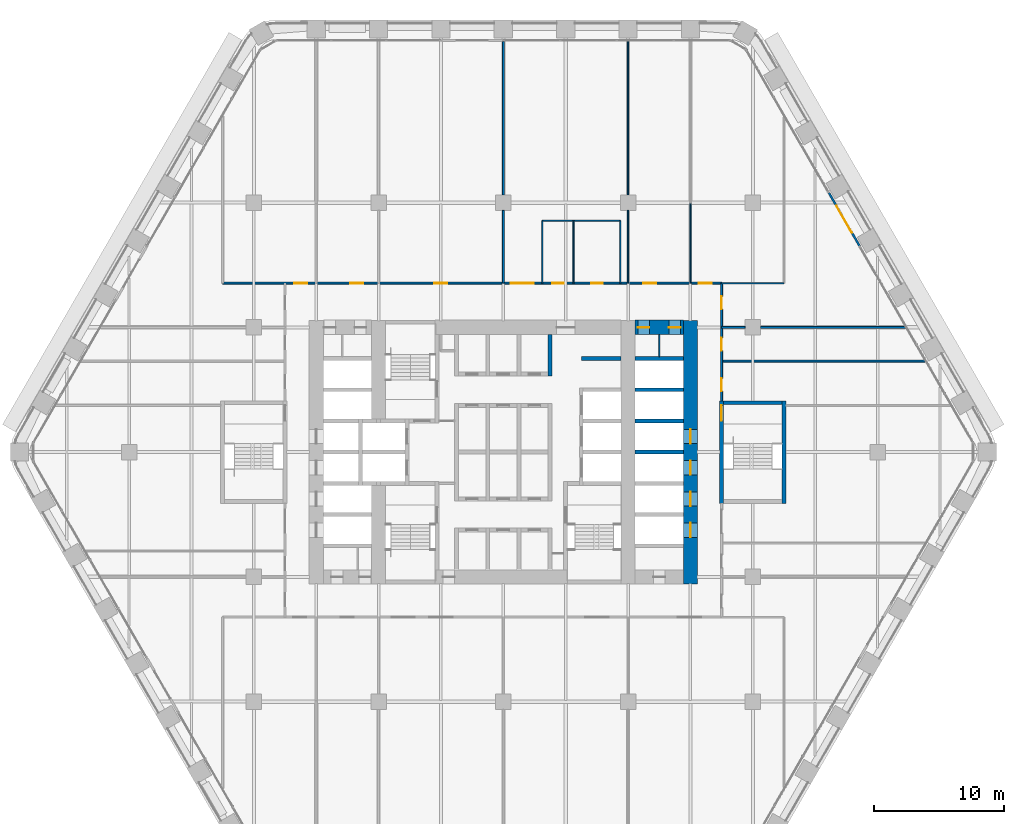
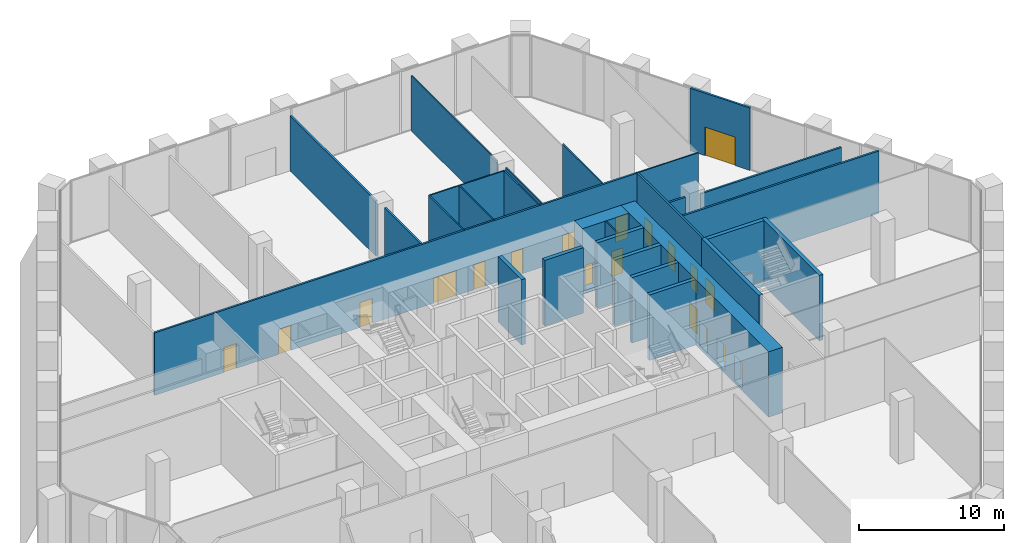
# One storey, part 21 of 27: 28 walls, 19 doors, 19 openings.
"""IFC4 building model written with IfcOpenShell, lengths in metres."""

from ifc_helpers import new_model, si_unit, direction, frame, frame_2d, origin, place, context, subcontext, project, spatial, rectangle, extrude, material, layer, layer_set, type_object, element, fill, save


model = new_model("IFC4")

# Units and contexts
model_context = context("Model", 3, precision=1e-05, world=origin(), true_north=direction((0.0, 1.0)))
body_context = subcontext(model_context, "Body", "Model", "MODEL_VIEW")
ifc_project = project(units=[si_unit("LENGTHUNIT", "METRE"), si_unit("AREAUNIT", "SQUARE_METRE"), si_unit("VOLUMEUNIT", "CUBIC_METRE"), si_unit("PLANEANGLEUNIT", "RADIAN"), si_unit("MASSUNIT", "GRAM", prefix="KILO")], contexts=[model_context])

# Site, building, storey
site_placement = place(None, origin())
site = spatial("IfcSite", under=ifc_project, at=site_placement, CompositionType="ELEMENT")
building_placement = place(site_placement, origin())
building = spatial("IfcBuilding", under=site, at=building_placement, Name="Kolab Exchange Tower", CompositionType="ELEMENT")
storey_placement = place(building_placement, frame((0.0, 0.0, 27.89990234375)))
storey = spatial("IfcBuildingStorey", under=building, at=storey_placement, Name="L05", CompositionType="ELEMENT", Elevation=27.89990234375)

# Wall, openings, doors
ifc_material_1 = material(Name="Concrete C80/95", Category="concrete")
ifc_layer_1 = layer(ifc_material_1, 1.10009765625)
ifc_layer_set_1 = layer_set([ifc_layer_1], Name="Concrete C80/95")
wall_type_1 = type_object("IfcWallType", Name="CORE WALL 1100 C80/95", PredefinedType="SHEAR", material=ifc_layer_set_1)
wall_1_placement = place(storey_placement, frame((10.14990234375, 9.60009765625, -0.25), z_axis=(0.0, 0.0, 1.0), x_axis=(1.0, 0.0, 0.0)))
wall_1 = element("IfcWall", 1, at=wall_1_placement, inside=storey, type_object=wall_type_1, Name="wall/L05/core/053", PredefinedType="SHEAR", context=body_context, shape_type="SweptSolid", body=[
    extrude(rectangle(XDim=3.7001953125, YDim=1.10009765625, at=frame_2d((1.85009765625, 0.0))), origin(), (0.0, 0.0, 1.0), 5.5),
])
opening_1_placement = place(wall_1_placement, frame((0.199951171875, 0.0, 0.25)))
opening_1 = element("IfcOpeningElement", 2, at=opening_1_placement, cuts=wall_1, Name="Opening D6-103", PredefinedType="OPENING", context=body_context, shape_type="SweptSolid", body=[
    extrude(rectangle(XDim=0.89990234375, YDim=2.10009765625, at=frame_2d((0.449951171875, 1.050048828125))), frame((0.0, 0.56005859375, 0.0), z_axis=(0.0, -1.0, 0.0), x_axis=(1.0, 0.0, 0.0)), (0.0, 0.0, 1.0), 1.1201171875),
])
opening_2_placement = place(wall_1_placement, frame((2.60009765625, 0.0, 0.25)))
opening_2 = element("IfcOpeningElement", 3, at=opening_2_placement, cuts=wall_1, Name="Opening D6-104", PredefinedType="OPENING", context=body_context, shape_type="SweptSolid", body=[
    extrude(rectangle(XDim=0.89990234375, YDim=2.10009765625, at=frame_2d((0.449951171875, 1.050048828125))), frame((0.0, 0.56005859375, 0.0), z_axis=(0.0, -1.0, 0.0), x_axis=(1.0, 0.0, 0.0)), (0.0, 0.0, 1.0), 1.1201171875),
])
ifc_material_2 = material(Name="Steel S235", Category="steel")
door_type_1 = type_object("IfcDoorType", Name="CORE DOOR 900 EI 120", OperationType="SINGLE_SWING_LEFT", PredefinedType="DOOR", material=ifc_material_2)
door_1_placement = place(opening_1_placement, frame((0.89990234375, 0.0, 0.0), z_axis=(0.0, 0.0, 1.0), x_axis=(-1.0, 0.0, 0.0)))
door_1 = element("IfcDoor", 4, at=door_1_placement, inside=storey, type_object=door_type_1, Name="Service room door", OperationType="SINGLE_SWING_RIGHT", OverallHeight=2.10009765625, OverallWidth=0.89990234375, PredefinedType="DOOR", context=body_context, shape_type="SweptSolid", body=[
    extrude(rectangle(XDim=0.89990234375, YDim=2.10009765625, at=frame_2d((0.449951171875, 1.050048828125))), frame((0.0, 0.02490234375, 0.0), z_axis=(0.0, -1.0, 0.0), x_axis=(1.0, 0.0, 0.0)), (0.0, 0.0, 1.0), 0.050048828125),
])
fill(opening_1, door_1)
door_2_placement = place(opening_2_placement, frame((0.89990234375, 0.0, 0.0), z_axis=(0.0, 0.0, 1.0), x_axis=(-1.0, 0.0, 0.0)))
door_2 = element("IfcDoor", 5, at=door_2_placement, inside=storey, type_object=door_type_1, Name="Service room door", OperationType="SINGLE_SWING_RIGHT", OverallHeight=2.10009765625, OverallWidth=0.89990234375, PredefinedType="DOOR", context=body_context, shape_type="SweptSolid", body=[
    extrude(rectangle(XDim=0.89990234375, YDim=2.10009765625, at=frame_2d((0.449951171875, 1.050048828125))), frame((0.0, 0.02490234375, 0.0), z_axis=(0.0, -1.0, 0.0), x_axis=(1.0, 0.0, 0.0)), (0.0, 0.0, 1.0), 0.050048828125),
])
fill(opening_2, door_2)

wall_2_placement = place(storey_placement, frame((14.39990234375, -10.14990234375, -0.25), z_axis=(0.0, 0.0, 1.0), x_axis=(0.0, 1.0, 0.0)))
wall_2 = element("IfcWall", 6, at=wall_2_placement, inside=storey, type_object=wall_type_1, Name="wall/L05/core/081", PredefinedType="SHEAR", context=body_context, shape_type="SweptSolid", body=[
    extrude(rectangle(XDim=20.2998046875, YDim=1.10009765625, at=frame_2d((10.14990234375, 0.0))), origin(), (0.0, 0.0, 1.0), 5.5),
])
opening_3_placement = place(wall_2_placement, frame((3.60009765625, 0.0, 0.25)))
opening_3 = element("IfcOpeningElement", 7, at=opening_3_placement, cuts=wall_2, Name="Opening LD1-037", PredefinedType="OPENING", context=body_context, shape_type="SweptSolid", body=[
    extrude(rectangle(XDim=1.10009765625, YDim=2.10009765625, at=frame_2d((0.550048828125, 1.050048828125))), frame((0.0, 0.56005859375, 0.0), z_axis=(0.0, -1.0, 0.0), x_axis=(1.0, 0.0, 0.0)), (0.0, 0.0, 1.0), 1.1201171875),
])
opening_4_placement = place(wall_2_placement, frame((6.0, 0.0, 0.25)))
opening_4 = element("IfcOpeningElement", 8, at=opening_4_placement, cuts=wall_2, Name="Opening LD1-038", PredefinedType="OPENING", context=body_context, shape_type="SweptSolid", body=[
    extrude(rectangle(XDim=1.10009765625, YDim=2.10009765625, at=frame_2d((0.550048828125, 1.050048828125))), frame((0.0, 0.56005859375, 0.0), z_axis=(0.0, -1.0, 0.0), x_axis=(1.0, 0.0, 0.0)), (0.0, 0.0, 1.0), 1.1201171875),
])
opening_5_placement = place(wall_2_placement, frame((8.39990234375, 0.0, 0.25)))
opening_5 = element("IfcOpeningElement", 9, at=opening_5_placement, cuts=wall_2, Name="Opening LD1-039", PredefinedType="OPENING", context=body_context, shape_type="SweptSolid", body=[
    extrude(rectangle(XDim=1.10009765625, YDim=2.10009765625, at=frame_2d((0.550048828125, 1.050048828125))), frame((0.0, 0.56005859375, 0.0), z_axis=(0.0, -1.0, 0.0), x_axis=(1.0, 0.0, 0.0)), (0.0, 0.0, 1.0), 1.1201171875),
])
opening_6_placement = place(wall_2_placement, frame((10.800048828125, 0.0, 0.25)))
opening_6 = element("IfcOpeningElement", 10, at=opening_6_placement, cuts=wall_2, Name="Opening LD1-040", PredefinedType="OPENING", context=body_context, shape_type="SweptSolid", body=[
    extrude(rectangle(XDim=1.10009765625, YDim=2.10009765625, at=frame_2d((0.550048828125, 1.050048828125))), frame((0.0, 0.56005859375, 0.0), z_axis=(0.0, -1.0, 0.0), x_axis=(1.0, 0.0, 0.0)), (0.0, 0.0, 1.0), 1.1201171875),
])
ifc_material_3 = material(Name="Stainless steel 316", Category="steel")
door_type_2 = type_object("IfcDoorType", Name="LANDING DOOR 1100 PASSENGER", OperationType="DOUBLE_DOOR_SLIDING", PredefinedType="DOOR", material=ifc_material_3)
door_3_placement = place(opening_3_placement, origin())
door_3 = element("IfcDoor", 11, at=door_3_placement, inside=storey, type_object=door_type_2, Name="Landing door LR1", OperationType="DOUBLE_DOOR_SLIDING", OverallHeight=2.10009765625, OverallWidth=1.10009765625, PredefinedType="DOOR", context=body_context, shape_type="SweptSolid", body=[
    extrude(rectangle(XDim=1.10009765625, YDim=2.10009765625, at=frame_2d((0.550048828125, 1.050048828125))), frame((0.0, 0.02490234375, 0.0), z_axis=(0.0, -1.0, 0.0), x_axis=(1.0, 0.0, 0.0)), (0.0, 0.0, 1.0), 0.050048828125),
])
fill(opening_3, door_3)
door_4_placement = place(opening_4_placement, origin())
door_4 = element("IfcDoor", 12, at=door_4_placement, inside=storey, type_object=door_type_2, Name="Landing door LR2", OperationType="DOUBLE_DOOR_SLIDING", OverallHeight=2.10009765625, OverallWidth=1.10009765625, PredefinedType="DOOR", context=body_context, shape_type="SweptSolid", body=[
    extrude(rectangle(XDim=1.10009765625, YDim=2.10009765625, at=frame_2d((0.550048828125, 1.050048828125))), frame((0.0, 0.02490234375, 0.0), z_axis=(0.0, -1.0, 0.0), x_axis=(1.0, 0.0, 0.0)), (0.0, 0.0, 1.0), 0.050048828125),
])
fill(opening_4, door_4)
door_5_placement = place(opening_5_placement, origin())
door_5 = element("IfcDoor", 13, at=door_5_placement, inside=storey, type_object=door_type_2, Name="Landing door LR3", OperationType="DOUBLE_DOOR_SLIDING", OverallHeight=2.10009765625, OverallWidth=1.10009765625, PredefinedType="DOOR", context=body_context, shape_type="SweptSolid", body=[
    extrude(rectangle(XDim=1.10009765625, YDim=2.10009765625, at=frame_2d((0.550048828125, 1.050048828125))), frame((0.0, 0.02490234375, 0.0), z_axis=(0.0, -1.0, 0.0), x_axis=(1.0, 0.0, 0.0)), (0.0, 0.0, 1.0), 0.050048828125),
])
fill(opening_5, door_5)
door_6_placement = place(opening_6_placement, origin())
door_6 = element("IfcDoor", 14, at=door_6_placement, inside=storey, type_object=door_type_2, Name="Landing door LR4", OperationType="DOUBLE_DOOR_SLIDING", OverallHeight=2.10009765625, OverallWidth=1.10009765625, PredefinedType="DOOR", context=body_context, shape_type="SweptSolid", body=[
    extrude(rectangle(XDim=1.10009765625, YDim=2.10009765625, at=frame_2d((0.550048828125, 1.050048828125))), frame((0.0, 0.02490234375, 0.0), z_axis=(0.0, -1.0, 0.0), x_axis=(1.0, 0.0, 0.0)), (0.0, 0.0, 1.0), 0.050048828125),
])
fill(opening_6, door_6)

# Wall, opening, door
ifc_material_4 = material(Name="Aluminium EN AW-6063 T6", Category="aluminium")
ifc_layer_2 = layer(ifc_material_4, 0.159912109375)
ifc_layer_set_2 = layer_set([ifc_layer_2], Name="Aluminium EN AW-6063 T6")
wall_type_2 = type_object("IfcWallType", Name="DOOR SURROUND WALL 160 ALUMINIUM FRAMED", PredefinedType="PARTITIONING", material=ifc_layer_set_2)
wall_3_placement = place(storey_placement, frame((25.046630859375, 19.96875, 0.0), z_axis=(0.0, 0.0, 1.0), x_axis=(0.5000167099, -0.866015756104, 0.0)))
wall_3 = element("IfcWall", 15, at=wall_3_placement, inside=storey, type_object=wall_type_2, Name="Door surround wall", PredefinedType="PARTITIONING", context=body_context, shape_type="SweptSolid", body=[
    extrude(rectangle(XDim=4.739990234375, YDim=0.159912109375, at=frame_2d((2.3701171875, 0.0))), origin(), (0.0, 0.0, 1.0), 5.25),
])
opening_7_placement = place(wall_3_placement, frame((1.169921875, 0.0, 0.0)))
opening_7 = element("IfcOpeningElement", 16, at=opening_7_placement, cuts=wall_3, Name="Opening GD1-018", PredefinedType="OPENING", context=body_context, shape_type="SweptSolid", body=[
    extrude(rectangle(XDim=2.39990234375, YDim=2.39990234375, at=frame_2d((1.199951171875, 1.199951171875))), frame((0.0, 0.08984375, 0.0), z_axis=(0.0, -1.0, 0.0), x_axis=(1.0, 0.0, 0.0)), (0.0, 0.0, 1.0), 0.179931640625),
])
door_type_3 = type_object("IfcDoorType", Name="LOGGIA SLIDING GLASS DOOR 2400 X 2400", OperationType="DOUBLE_DOOR_SINGLE_SWING", PredefinedType="DOOR", material=ifc_material_4)
door_7_placement = place(opening_7_placement, origin())
door_7 = element("IfcDoor", 17, at=door_7_placement, inside=storey, type_object=door_type_3, Name="Loggia door", OperationType="DOUBLE_DOOR_SLIDING", OverallHeight=2.39990234375, OverallWidth=2.39990234375, PredefinedType="DOOR", context=body_context, shape_type="SweptSolid", body=[
    extrude(rectangle(XDim=2.39990234375, YDim=2.39990234375, at=frame_2d((1.199951171875, 1.199951171875))), frame((0.0, 0.02490234375, 0.0), z_axis=(0.0, -1.0, 0.0), x_axis=(1.0, 0.0, 0.0)), (0.0, 0.0, 1.0), 0.050048828125),
])
fill(opening_7, door_7)

# Walls
ifc_material_5 = material(Name="Concrete C50/60", Category="concrete")
ifc_layer_3 = layer(ifc_material_5, 0.300048828125)
ifc_layer_set_3 = layer_set([ifc_layer_3], Name="Concrete C50/60")
wall_type_3 = type_object("IfcWallType", Name="LIFT SHAFT WALL 300 C50/60", PredefinedType="STANDARD", material=ifc_layer_set_3)
for number, where, z_axis, x_axis, name in (
    (18, (10.14990234375, 0.0, -0.25), (0.0, 0.0, 1.0), (1.0, 0.0, 0.0), "wall/L05/core/030"),
    (19, (10.14990234375, 2.39990234375, -0.25), (0.0, 0.0, 1.0), (1.0, 0.0, 0.0), "wall/L05/core/036"),
    (20, (10.14990234375, 4.800048828125, -0.25), (0.0, 0.0, 1.0), (1.0, 0.0, 0.0), "wall/L05/core/044"),
):
    element("IfcWall", number, at=place(storey_placement, frame(where, z_axis=z_axis, x_axis=x_axis)), inside=storey, type_object=wall_type_3, Name=name, PredefinedType="STANDARD", context=body_context, shape_type="SweptSolid", body=[
        extrude(rectangle(XDim=3.7001953125, YDim=0.300048828125, at=frame_2d((1.85009765625, 0.0))), origin(), (0.0, 0.0, 1.0), 5.5),
    ])
wall_4_placement = place(storey_placement, frame((6.0, 7.199951171875, -0.25), z_axis=(0.0, 0.0, 1.0), x_axis=(1.0, 0.0, 0.0)))
element("IfcWall", 21, at=wall_4_placement, inside=storey, type_object=wall_type_3, Name="wall/L05/core/049", PredefinedType="STANDARD", context=body_context, shape_type="SweptSolid", body=[
    extrude(rectangle(XDim=3.050048828125, YDim=0.300048828125, at=frame_2d((1.52490234375, 0.0))), origin(), (0.0, 0.0, 1.0), 5.5),
])
wall_5_placement = place(storey_placement, frame((10.14990234375, 7.199951171875, -0.25), z_axis=(0.0, 0.0, 1.0), x_axis=(1.0, 0.0, 0.0)))
element("IfcWall", 22, at=wall_5_placement, inside=storey, type_object=wall_type_3, Name="wall/L05/core/050", PredefinedType="STANDARD", context=body_context, shape_type="SweptSolid", body=[
    extrude(rectangle(XDim=3.7001953125, YDim=0.300048828125, at=frame_2d((1.85009765625, 0.0))), origin(), (0.0, 0.0, 1.0), 5.5),
])
wall_6_placement = place(storey_placement, frame((3.60009765625, 5.85009765625, -0.25), z_axis=(0.0, 0.0, 1.0), x_axis=(0.0, 1.0, 0.0)))
element("IfcWall", 23, at=wall_6_placement, inside=storey, type_object=wall_type_3, Name="wall/L05/core/077", PredefinedType="STANDARD", context=body_context, shape_type="SweptSolid", body=[
    extrude(rectangle(XDim=3.199951171875, YDim=0.300048828125, at=frame_2d((1.60009765625, 0.0))), origin(), (0.0, 0.0, 1.0), 5.5),
])
ifc_material_6 = material(Name="Gypsum board", Category="gypsum")
ifc_layer_4 = layer(ifc_material_6, 0.10009765625)
ifc_layer_set_4 = layer_set([ifc_layer_4], Name="Gypsum board")
wall_type_4 = type_object("IfcWallType", Name="PARTITION 100", PredefinedType="PARTITIONING", material=ifc_layer_set_4)
wall_7_placement = place(storey_placement, frame((14.39990234375, 13.0, 0.0), z_axis=(0.0, 0.0, 1.0), x_axis=(0.0, 1.0, 0.0)))
element("IfcWall", 24, at=wall_7_placement, inside=storey, type_object=wall_type_4, Name="Partition 004", PredefinedType="PARTITIONING", context=body_context, shape_type="SweptSolid", body=[
    extrude(rectangle(XDim=6.113037109375, YDim=0.10009765625, at=frame_2d((3.056640625, 0.0))), origin(), (0.0, 0.0, 1.0), 4.793212890625),
])
wall_8_placement = place(storey_placement, frame((12.0, 7.35009765625, 0.0), z_axis=(0.0, 0.0, 1.0), x_axis=(0.0, 1.0, 0.0)))
element("IfcWall", 25, at=wall_8_placement, inside=storey, type_object=wall_type_4, Name="Partition 005", PredefinedType="PARTITIONING", context=body_context, shape_type="SweptSolid", body=[
    extrude(rectangle(XDim=1.699951171875, YDim=0.10009765625, at=frame_2d((0.85009765625, 0.0))), origin(), (0.0, 0.0, 1.0), 5.25),
])
wall_9_placement = place(storey_placement, frame((9.60009765625, 13.0, 0.0), z_axis=(0.0, 0.0, 1.0), x_axis=(0.0, 1.0, 0.0)))
element("IfcWall", 26, at=wall_9_placement, inside=storey, type_object=wall_type_4, Name="Partition 008", PredefinedType="PARTITIONING", context=body_context, shape_type="SweptSolid", body=[
    extrude(rectangle(XDim=5.60009765625, YDim=0.10009765625, at=frame_2d((2.800048828125, 0.0))), origin(), (0.0, 0.0, 1.0), 4.793212890625),
])
wall_10_placement = place(storey_placement, frame((9.60009765625, 19.800048828125, 0.0), z_axis=(0.0, 0.0, 1.0), x_axis=(0.0, 1.0, 0.0)))
element("IfcWall", 27, at=wall_10_placement, inside=storey, type_object=wall_type_4, Name="Partition 009", PredefinedType="PARTITIONING", context=body_context, shape_type="SweptSolid", body=[
    extrude(rectangle(XDim=11.785400390625, YDim=0.10009765625, at=frame_2d((5.892578125, 0.0))), origin(), (0.0, 0.0, 1.0), 4.64208984375),
])
for number, where, z_axis, x_axis, name in (
    (28, (9.0, 13.0, 0.0), (0.0, 0.0, 1.0), (0.0, 1.0, 0.0), "Partition 010"),
    (29, (5.39990234375, 13.0, 0.0), (0.0, 0.0, 1.0), (0.0, 1.0, 0.0), "Partition 011"),
    (30, (3.0, 13.0, 0.0), (0.0, 0.0, 1.0), (0.0, 1.0, 0.0), "Partition 012"),
    (31, (16.800048828125, 13.0, 0.0), (0.0, 0.0, 1.0), (1.0, 0.0, 0.0), "Partition 048"),
):
    element("IfcWall", number, at=place(storey_placement, frame(where, z_axis=z_axis, x_axis=x_axis)), inside=storey, type_object=wall_type_4, Name=name, PredefinedType="PARTITIONING", context=body_context, shape_type="SweptSolid", body=[
        extrude(rectangle(XDim=4.800048828125, YDim=0.10009765625, at=frame_2d((2.39990234375, 0.0))), origin(), (0.0, 0.0, 1.0), 5.25),
    ])
wall_11_placement = place(storey_placement, frame((3.0, 17.800048828125, 0.0), z_axis=(0.0, 0.0, 1.0), x_axis=(1.0, 0.0, 0.0)))
element("IfcWall", 32, at=wall_11_placement, inside=storey, type_object=wall_type_4, Name="Partition 050", PredefinedType="PARTITIONING", context=body_context, shape_type="SweptSolid", body=[
    extrude(rectangle(XDim=6.0, YDim=0.10009765625, at=frame_2d((3.0, 0.0))), origin(), (0.0, 0.0, 1.0), 5.25),
])

# Wall, openings, doors
ifc_layer_5 = layer(ifc_material_6, 0.14990234375)
ifc_layer_set_5 = layer_set([ifc_layer_5], Name="Gypsum board")
wall_type_5 = type_object("IfcWallType", Name="PARTITION 150 FIRE-RATED", PredefinedType="PARTITIONING", material=ifc_layer_set_5)
wall_12_placement = place(storey_placement, frame((16.800048828125, 3.949951171875, 0.0), z_axis=(0.0, 0.0, 1.0), x_axis=(0.0, 1.0, 0.0)))
wall_12 = element("IfcWall", 33, at=wall_12_placement, inside=storey, type_object=wall_type_5, Name="Partition 003", PredefinedType="PARTITIONING", context=body_context, shape_type="SweptSolid", body=[
    extrude(rectangle(XDim=9.050048828125, YDim=0.14990234375, at=frame_2d((4.52490234375, 0.0))), origin(), (0.0, 0.0, 1.0), 5.25),
])
opening_8_placement = place(wall_12_placement, frame((0.7548828125, 0.0, 0.0)))
opening_8 = element("IfcOpeningElement", 34, at=opening_8_placement, cuts=wall_12, Name="Opening D1-075", PredefinedType="OPENING", context=body_context, shape_type="SweptSolid", body=[
    extrude(rectangle(XDim=1.0, YDim=2.10009765625, at=frame_2d((0.5, 1.050048828125))), frame((0.0, 0.0849609375, 0.0), z_axis=(0.0, -1.0, 0.0), x_axis=(1.0, 0.0, 0.0)), (0.0, 0.0, 1.0), 0.169921875),
])
opening_9_placement = place(wall_12_placement, frame((3.85009765625, 0.0, 0.0)))
opening_9 = element("IfcOpeningElement", 35, at=opening_9_placement, cuts=wall_12, Name="Opening D1-076", PredefinedType="OPENING", context=body_context, shape_type="SweptSolid", body=[
    extrude(rectangle(XDim=1.0, YDim=2.10009765625, at=frame_2d((0.5, 1.050048828125))), frame((0.0, 0.0849609375, 0.0), z_axis=(0.0, -1.0, 0.0), x_axis=(1.0, 0.0, 0.0)), (0.0, 0.0, 1.0), 0.169921875),
])
opening_10_placement = place(wall_12_placement, frame((7.050048828125, 0.0, 0.0)))
opening_10 = element("IfcOpeningElement", 36, at=opening_10_placement, cuts=wall_12, Name="Opening D1-077", PredefinedType="OPENING", context=body_context, shape_type="SweptSolid", body=[
    extrude(rectangle(XDim=1.0, YDim=2.10009765625, at=frame_2d((0.5, 1.050048828125))), frame((0.0, 0.0849609375, 0.0), z_axis=(0.0, -1.0, 0.0), x_axis=(1.0, 0.0, 0.0)), (0.0, 0.0, 1.0), 0.169921875),
])
door_type_4 = type_object("IfcDoorType", Name="FLUSH DOOR 1000 FD60", OperationType="SINGLE_SWING_LEFT", PredefinedType="DOOR", material=ifc_material_2)
door_8_placement = place(opening_8_placement, frame((1.0, 0.0, 0.0), z_axis=(0.0, 0.0, 1.0), x_axis=(-1.0, 0.0, 0.0)))
door_8 = element("IfcDoor", 37, at=door_8_placement, inside=storey, type_object=door_type_4, Name="Door L05-062", OperationType="SINGLE_SWING_LEFT", OverallHeight=2.10009765625, OverallWidth=1.0, PredefinedType="DOOR", context=body_context, shape_type="SweptSolid", body=[
    extrude(rectangle(XDim=1.0, YDim=2.10009765625, at=frame_2d((0.5, 1.050048828125))), frame((0.0, 0.02490234375, 0.0), z_axis=(0.0, -1.0, 0.0), x_axis=(1.0, 0.0, 0.0)), (0.0, 0.0, 1.0), 0.050048828125),
])
fill(opening_8, door_8)
door_9_placement = place(opening_9_placement, frame((1.0, 0.0, 0.0), z_axis=(0.0, 0.0, 1.0), x_axis=(-1.0, 0.0, 0.0)))
door_9 = element("IfcDoor", 38, at=door_9_placement, inside=storey, type_object=door_type_4, Name="Door L05-063", OperationType="SINGLE_SWING_RIGHT", OverallHeight=2.10009765625, OverallWidth=1.0, PredefinedType="DOOR", context=body_context, shape_type="SweptSolid", body=[
    extrude(rectangle(XDim=1.0, YDim=2.10009765625, at=frame_2d((0.5, 1.050048828125))), frame((0.0, 0.02490234375, 0.0), z_axis=(0.0, -1.0, 0.0), x_axis=(1.0, 0.0, 0.0)), (0.0, 0.0, 1.0), 0.050048828125),
])
fill(opening_9, door_9)
door_10_placement = place(opening_10_placement, frame((1.0, 0.0, 0.0), z_axis=(0.0, 0.0, 1.0), x_axis=(-1.0, 0.0, 0.0)))
door_10 = element("IfcDoor", 39, at=door_10_placement, inside=storey, type_object=door_type_4, Name="Door L05-064", OperationType="SINGLE_SWING_RIGHT", OverallHeight=2.10009765625, OverallWidth=1.0, PredefinedType="DOOR", context=body_context, shape_type="SweptSolid", body=[
    extrude(rectangle(XDim=1.0, YDim=2.10009765625, at=frame_2d((0.5, 1.050048828125))), frame((0.0, 0.02490234375, 0.0), z_axis=(0.0, -1.0, 0.0), x_axis=(1.0, 0.0, 0.0)), (0.0, 0.0, 1.0), 0.050048828125),
])
fill(opening_10, door_10)

# Walls
wall_13_placement = place(storey_placement, frame((0.0, 13.0, 0.0), z_axis=(0.0, 0.0, 1.0), x_axis=(0.0, 1.0, 0.0)))
element("IfcWall", 40, at=wall_13_placement, inside=storey, type_object=wall_type_5, Name="Partition 015", PredefinedType="PARTITIONING", context=body_context, shape_type="SweptSolid", body=[
    extrude(rectangle(XDim=5.60009765625, YDim=0.14990234375, at=frame_2d((2.800048828125, 0.0))), origin(), (0.0, 0.0, 1.0), 4.793212890625),
])
wall_14_placement = place(storey_placement, frame((0.0, 19.800048828125, 0.0), z_axis=(0.0, 0.0, 1.0), x_axis=(0.0, 1.0, 0.0)))
element("IfcWall", 41, at=wall_14_placement, inside=storey, type_object=wall_type_5, Name="Partition 016", PredefinedType="PARTITIONING", context=body_context, shape_type="SweptSolid", body=[
    extrude(rectangle(XDim=11.79541015625, YDim=0.14990234375, at=frame_2d((5.897705078125, 0.0))), origin(), (0.0, 0.0, 1.0), 4.64208984375),
])
wall_15_placement = place(storey_placement, frame((16.800048828125, 7.0, 0.0), z_axis=(0.0, 0.0, 1.0), x_axis=(1.0, 0.0, 0.0)))
element("IfcWall", 42, at=wall_15_placement, inside=storey, type_object=wall_type_5, Name="Partition 042", PredefinedType="PARTITIONING", context=body_context, shape_type="SweptSolid", body=[
    extrude(rectangle(XDim=15.687744140625, YDim=0.14990234375, at=frame_2d((7.84375, 0.0))), origin(), (0.0, 0.0, 1.0), 5.25),
])
wall_16_placement = place(storey_placement, frame((16.800048828125, 9.60009765625, 0.0), z_axis=(0.0, 0.0, 1.0), x_axis=(1.0, 0.0, 0.0)))
element("IfcWall", 43, at=wall_16_placement, inside=storey, type_object=wall_type_5, Name="Partition 046", PredefinedType="PARTITIONING", context=body_context, shape_type="SweptSolid", body=[
    extrude(rectangle(XDim=1.800048828125, YDim=0.14990234375, at=frame_2d((0.89990234375, 0.0))), origin(), (0.0, 0.0, 1.0), 4.64208984375),
])
wall_17_placement = place(storey_placement, frame((19.800048828125, 9.60009765625, 0.0), z_axis=(0.0, 0.0, 1.0), x_axis=(1.0, 0.0, 0.0)))
element("IfcWall", 44, at=wall_17_placement, inside=storey, type_object=wall_type_5, Name="Partition 047", PredefinedType="PARTITIONING", context=body_context, shape_type="SweptSolid", body=[
    extrude(rectangle(XDim=11.186767578125, YDim=0.14990234375, at=frame_2d((5.59326171875, 0.0))), origin(), (0.0, 0.0, 1.0), 4.488037109375),
])

# Wall, openings, doors
wall_18_placement = place(storey_placement, frame((-21.60009765625, 13.0, 0.0), z_axis=(0.0, 0.0, 1.0), x_axis=(1.0, 0.0, 0.0)))
wall_18 = element("IfcWall", 45, at=wall_18_placement, inside=storey, type_object=wall_type_5, Name="Partition 049", PredefinedType="PARTITIONING", context=body_context, shape_type="SweptSolid", body=[
    extrude(rectangle(XDim=38.400146484375, YDim=0.14990234375, at=frame_2d((19.2001953125, 0.0))), origin(), (0.0, 0.0, 1.0), 5.25),
])
opening_11_placement = place(wall_18_placement, frame((5.5, 0.0, 0.0)))
opening_11 = element("IfcOpeningElement", 46, at=opening_11_placement, cuts=wall_18, Name="Opening D1-066", PredefinedType="OPENING", context=body_context, shape_type="SweptSolid", body=[
    extrude(rectangle(XDim=1.0, YDim=2.10009765625, at=frame_2d((0.5, 1.050048828125))), frame((0.0, 0.0849609375, 0.0), z_axis=(0.0, -1.0, 0.0), x_axis=(1.0, 0.0, 0.0)), (0.0, 0.0, 1.0), 0.169921875),
])
opening_12_placement = place(wall_18_placement, frame((9.824951171875, 0.0, 0.0)))
opening_12 = element("IfcOpeningElement", 47, at=opening_12_placement, cuts=wall_18, Name="Opening D1-067", PredefinedType="OPENING", context=body_context, shape_type="SweptSolid", body=[
    extrude(rectangle(XDim=1.0, YDim=2.10009765625, at=frame_2d((0.5, 1.050048828125))), frame((0.0, 0.0849609375, 0.0), z_axis=(0.0, -1.0, 0.0), x_axis=(1.0, 0.0, 0.0)), (0.0, 0.0, 1.0), 0.169921875),
])
opening_13_placement = place(wall_18_placement, frame((16.300048828125, 0.0, 0.0)))
opening_13 = element("IfcOpeningElement", 48, at=opening_13_placement, cuts=wall_18, Name="Opening D1-068", PredefinedType="OPENING", context=body_context, shape_type="SweptSolid", body=[
    extrude(rectangle(XDim=1.0, YDim=2.10009765625, at=frame_2d((0.5, 1.050048828125))), frame((0.0, 0.0849609375, 0.0), z_axis=(0.0, -1.0, 0.0), x_axis=(1.0, 0.0, 0.0)), (0.0, 0.0, 1.0), 0.169921875),
])
opening_14_placement = place(wall_18_placement, frame((22.155029296875, 0.0, 0.0)))
opening_14 = element("IfcOpeningElement", 49, at=opening_14_placement, cuts=wall_18, Name="Opening D2-009", PredefinedType="OPENING", context=body_context, shape_type="SweptSolid", body=[
    extrude(rectangle(XDim=1.800048828125, YDim=2.10009765625, at=frame_2d((0.89990234375, 1.050048828125))), frame((0.0, 0.0849609375, 0.0), z_axis=(0.0, -1.0, 0.0), x_axis=(1.0, 0.0, 0.0)), (0.0, 0.0, 1.0), 0.169921875),
])
opening_15_placement = place(wall_18_placement, frame((32.375, 0.0, 0.0)))
opening_15 = element("IfcOpeningElement", 50, at=opening_15_placement, cuts=wall_18, Name="Opening D1-069", PredefinedType="OPENING", context=body_context, shape_type="SweptSolid", body=[
    extrude(rectangle(XDim=1.0, YDim=2.10009765625, at=frame_2d((0.5, 1.050048828125))), frame((0.0, 0.0849609375, 0.0), z_axis=(0.0, -1.0, 0.0), x_axis=(1.0, 0.0, 0.0)), (0.0, 0.0, 1.0), 0.169921875),
])
opening_16_placement = place(wall_18_placement, frame((36.625, 0.0, 0.0)))
opening_16 = element("IfcOpeningElement", 51, at=opening_16_placement, cuts=wall_18, Name="Opening D1-070", PredefinedType="OPENING", context=body_context, shape_type="SweptSolid", body=[
    extrude(rectangle(XDim=1.0, YDim=2.10009765625, at=frame_2d((0.5, 1.050048828125))), frame((0.0, 0.0849609375, 0.0), z_axis=(0.0, -1.0, 0.0), x_axis=(1.0, 0.0, 0.0)), (0.0, 0.0, 1.0), 0.169921875),
])
opening_17_placement = place(wall_18_placement, frame((28.35009765625, 0.0, 0.0)))
opening_17 = element("IfcOpeningElement", 52, at=opening_17_placement, cuts=wall_18, Name="Opening D3-009", PredefinedType="OPENING", context=body_context, shape_type="SweptSolid", body=[
    extrude(rectangle(XDim=0.89990234375, YDim=2.10009765625, at=frame_2d((0.449951171875, 1.050048828125))), frame((0.0, 0.0849609375, 0.0), z_axis=(0.0, -1.0, 0.0), x_axis=(1.0, 0.0, 0.0)), (0.0, 0.0, 1.0), 0.169921875),
])
opening_18_placement = place(wall_18_placement, frame((25.35009765625, 0.0, 0.0)))
opening_18 = element("IfcOpeningElement", 53, at=opening_18_placement, cuts=wall_18, Name="Opening D3-010", PredefinedType="OPENING", context=body_context, shape_type="SweptSolid", body=[
    extrude(rectangle(XDim=0.89990234375, YDim=2.10009765625, at=frame_2d((0.449951171875, 1.050048828125))), frame((0.0, 0.0849609375, 0.0), z_axis=(0.0, -1.0, 0.0), x_axis=(1.0, 0.0, 0.0)), (0.0, 0.0, 1.0), 0.169921875),
])
door_type_5 = type_object("IfcDoorType", Name="DOUBLE DOOR 1800 FD60", OperationType="DOUBLE_DOOR_SINGLE_SWING", PredefinedType="DOOR", material=ifc_material_2)
door_11_placement = place(opening_14_placement, origin())
door_11 = element("IfcDoor", 54, at=door_11_placement, inside=storey, type_object=door_type_5, Name="Door L05-051", OperationType="SINGLE_SWING_LEFT", OverallHeight=2.10009765625, OverallWidth=1.800048828125, PredefinedType="DOOR", context=body_context, shape_type="SweptSolid", body=[
    extrude(rectangle(XDim=1.800048828125, YDim=2.10009765625, at=frame_2d((0.89990234375, 1.050048828125))), frame((0.0, 0.02490234375, 0.0), z_axis=(0.0, -1.0, 0.0), x_axis=(1.0, 0.0, 0.0)), (0.0, 0.0, 1.0), 0.050048828125),
])
fill(opening_14, door_11)
door_12_placement = place(opening_11_placement, origin())
door_12 = element("IfcDoor", 55, at=door_12_placement, inside=storey, type_object=door_type_4, Name="Door L05-048", OperationType="SINGLE_SWING_RIGHT", OverallHeight=2.10009765625, OverallWidth=1.0, PredefinedType="DOOR", context=body_context, shape_type="SweptSolid", body=[
    extrude(rectangle(XDim=1.0, YDim=2.10009765625, at=frame_2d((0.5, 1.050048828125))), frame((0.0, 0.02490234375, 0.0), z_axis=(0.0, -1.0, 0.0), x_axis=(1.0, 0.0, 0.0)), (0.0, 0.0, 1.0), 0.050048828125),
])
fill(opening_11, door_12)
door_13_placement = place(opening_12_placement, origin())
door_13 = element("IfcDoor", 56, at=door_13_placement, inside=storey, type_object=door_type_4, Name="Door L05-049", OperationType="SINGLE_SWING_RIGHT", OverallHeight=2.10009765625, OverallWidth=1.0, PredefinedType="DOOR", context=body_context, shape_type="SweptSolid", body=[
    extrude(rectangle(XDim=1.0, YDim=2.10009765625, at=frame_2d((0.5, 1.050048828125))), frame((0.0, 0.02490234375, 0.0), z_axis=(0.0, -1.0, 0.0), x_axis=(1.0, 0.0, 0.0)), (0.0, 0.0, 1.0), 0.050048828125),
])
fill(opening_12, door_13)
door_14_placement = place(opening_13_placement, origin())
door_14 = element("IfcDoor", 57, at=door_14_placement, inside=storey, type_object=door_type_4, Name="Door L05-050", OperationType="SINGLE_SWING_LEFT", OverallHeight=2.10009765625, OverallWidth=1.0, PredefinedType="DOOR", context=body_context, shape_type="SweptSolid", body=[
    extrude(rectangle(XDim=1.0, YDim=2.10009765625, at=frame_2d((0.5, 1.050048828125))), frame((0.0, 0.02490234375, 0.0), z_axis=(0.0, -1.0, 0.0), x_axis=(1.0, 0.0, 0.0)), (0.0, 0.0, 1.0), 0.050048828125),
])
fill(opening_13, door_14)
door_15_placement = place(opening_15_placement, origin())
door_15 = element("IfcDoor", 58, at=door_15_placement, inside=storey, type_object=door_type_4, Name="Door L05-052", OperationType="SINGLE_SWING_LEFT", OverallHeight=2.10009765625, OverallWidth=1.0, PredefinedType="DOOR", context=body_context, shape_type="SweptSolid", body=[
    extrude(rectangle(XDim=1.0, YDim=2.10009765625, at=frame_2d((0.5, 1.050048828125))), frame((0.0, 0.02490234375, 0.0), z_axis=(0.0, -1.0, 0.0), x_axis=(1.0, 0.0, 0.0)), (0.0, 0.0, 1.0), 0.050048828125),
])
fill(opening_15, door_15)
door_16_placement = place(opening_16_placement, origin())
door_16 = element("IfcDoor", 59, at=door_16_placement, inside=storey, type_object=door_type_4, Name="Door L05-053", OperationType="SINGLE_SWING_LEFT", OverallHeight=2.10009765625, OverallWidth=1.0, PredefinedType="DOOR", context=body_context, shape_type="SweptSolid", body=[
    extrude(rectangle(XDim=1.0, YDim=2.10009765625, at=frame_2d((0.5, 1.050048828125))), frame((0.0, 0.02490234375, 0.0), z_axis=(0.0, -1.0, 0.0), x_axis=(1.0, 0.0, 0.0)), (0.0, 0.0, 1.0), 0.050048828125),
])
fill(opening_16, door_16)
door_type_6 = type_object("IfcDoorType", Name="FLUSH DOOR 900 FD60", OperationType="SINGLE_SWING_LEFT", PredefinedType="DOOR", material=ifc_material_2)
door_17_placement = place(opening_17_placement, origin())
door_17 = element("IfcDoor", 60, at=door_17_placement, inside=storey, type_object=door_type_6, Name="Door L05-071", OperationType="SINGLE_SWING_LEFT", OverallHeight=2.10009765625, OverallWidth=0.89990234375, PredefinedType="DOOR", context=body_context, shape_type="SweptSolid", body=[
    extrude(rectangle(XDim=0.89990234375, YDim=2.10009765625, at=frame_2d((0.449951171875, 1.050048828125))), frame((0.0, 0.02490234375, 0.0), z_axis=(0.0, -1.0, 0.0), x_axis=(1.0, 0.0, 0.0)), (0.0, 0.0, 1.0), 0.050048828125),
])
fill(opening_17, door_17)
door_18_placement = place(opening_18_placement, origin())
door_18 = element("IfcDoor", 61, at=door_18_placement, inside=storey, type_object=door_type_6, Name="Door L05-072", OperationType="SINGLE_SWING_LEFT", OverallHeight=2.10009765625, OverallWidth=0.89990234375, PredefinedType="DOOR", context=body_context, shape_type="SweptSolid", body=[
    extrude(rectangle(XDim=0.89990234375, YDim=2.10009765625, at=frame_2d((0.449951171875, 1.050048828125))), frame((0.0, 0.02490234375, 0.0), z_axis=(0.0, -1.0, 0.0), x_axis=(1.0, 0.0, 0.0)), (0.0, 0.0, 1.0), 0.050048828125),
])
fill(opening_18, door_18)

# Wall
ifc_layer_6 = layer(ifc_material_5, 0.300048828125)
ifc_layer_set_6 = layer_set([ifc_layer_6], Name="Concrete C50/60")
wall_type_6 = type_object("IfcWallType", Name="STAIR ENCLOSURE WALL 300 C50/60", PredefinedType="STANDARD", material=ifc_layer_set_6)
wall_19_placement = place(storey_placement, frame((16.949951171875, 3.800048828125, -0.25), z_axis=(0.0, 0.0, 1.0), x_axis=(1.0, 0.0, 0.0)))
element("IfcWall", 62, at=wall_19_placement, inside=storey, type_object=wall_type_6, Name="wall/L05/core/041", PredefinedType="STANDARD", context=body_context, shape_type="SweptSolid", body=[
    extrude(rectangle(XDim=4.5, YDim=0.300048828125, at=frame_2d((2.25, 0.0))), origin(), (0.0, 0.0, 1.0), 5.5),
])

# Wall, opening, door
wall_20_placement = place(storey_placement, frame((16.800048828125, -3.949951171875, -0.25), z_axis=(0.0, 0.0, 1.0), x_axis=(0.0, 1.0, 0.0)))
wall_20 = element("IfcWall", 63, at=wall_20_placement, inside=storey, type_object=wall_type_6, Name="wall/L05/core/082", PredefinedType="STANDARD", context=body_context, shape_type="SweptSolid", body=[
    extrude(rectangle(XDim=7.89990234375, YDim=0.300048828125, at=frame_2d((3.949951171875, 0.0))), origin(), (0.0, 0.0, 1.0), 5.5),
])
opening_19_placement = place(wall_20_placement, frame((6.35009765625, 0.0, 0.25)))
opening_19 = element("IfcOpeningElement", 64, at=opening_19_placement, cuts=wall_20, Name="Opening D4-023", PredefinedType="OPENING", context=body_context, shape_type="SweptSolid", body=[
    extrude(rectangle(XDim=1.199951171875, YDim=2.10009765625, at=frame_2d((0.60009765625, 1.050048828125))), frame((0.0, 0.16015625, 0.0), z_axis=(0.0, -1.0, 0.0), x_axis=(1.0, 0.0, 0.0)), (0.0, 0.0, 1.0), 0.320068359375),
])
door_type_7 = type_object("IfcDoorType", Name="STAIR DOOR 1200 EI 120", OperationType="SINGLE_SWING_LEFT", PredefinedType="DOOR", material=ifc_material_2)
door_19_placement = place(opening_19_placement, frame((1.199951171875, 0.0, 0.0), z_axis=(0.0, 0.0, 1.0), x_axis=(-1.0, 0.0, 0.0)))
door_19 = element("IfcDoor", 65, at=door_19_placement, inside=storey, type_object=door_type_7, Name="Stair 4 door", OperationType="SINGLE_SWING_RIGHT", OverallHeight=2.10009765625, OverallWidth=1.199951171875, PredefinedType="DOOR", context=body_context, shape_type="SweptSolid", body=[
    extrude(rectangle(XDim=1.199951171875, YDim=2.10009765625, at=frame_2d((0.60009765625, 1.050048828125))), frame((0.0, 0.02490234375, 0.0), z_axis=(0.0, -1.0, 0.0), x_axis=(1.0, 0.0, 0.0)), (0.0, 0.0, 1.0), 0.050048828125),
])
fill(opening_19, door_19)

# Wall
wall_21_placement = place(storey_placement, frame((21.60009765625, -3.949951171875, -0.25), z_axis=(0.0, 0.0, 1.0), x_axis=(0.0, 1.0, 0.0)))
element("IfcWall", 66, at=wall_21_placement, inside=storey, type_object=wall_type_6, Name="wall/L05/core/083", PredefinedType="STANDARD", context=body_context, shape_type="SweptSolid", body=[
    extrude(rectangle(XDim=7.89990234375, YDim=0.300048828125, at=frame_2d((3.949951171875, 0.0))), origin(), (0.0, 0.0, 1.0), 5.5),
])

save(model, "model.ifc")
